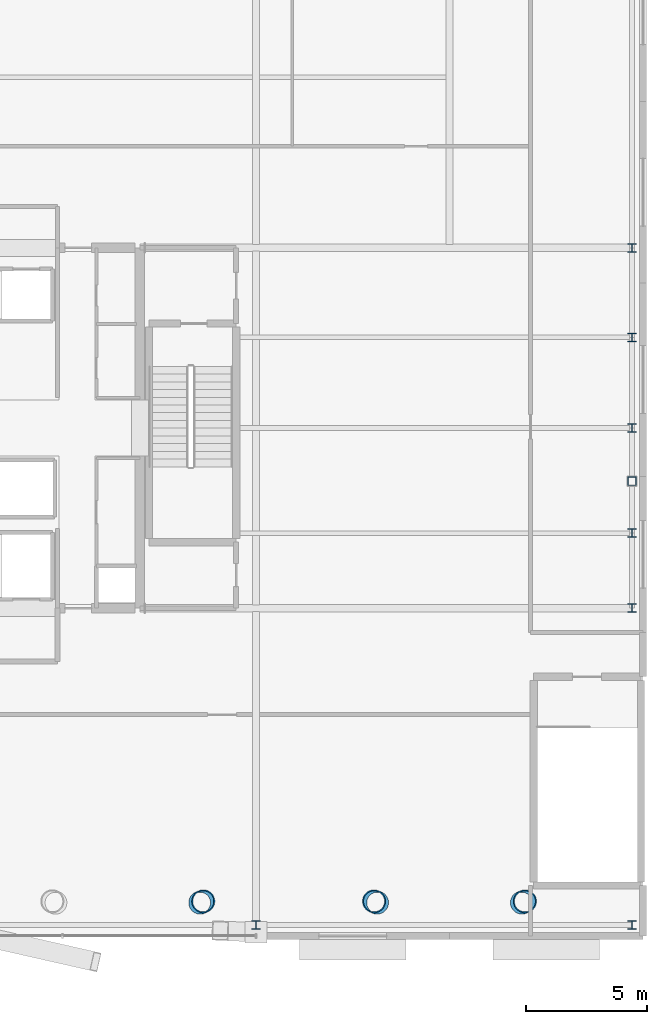
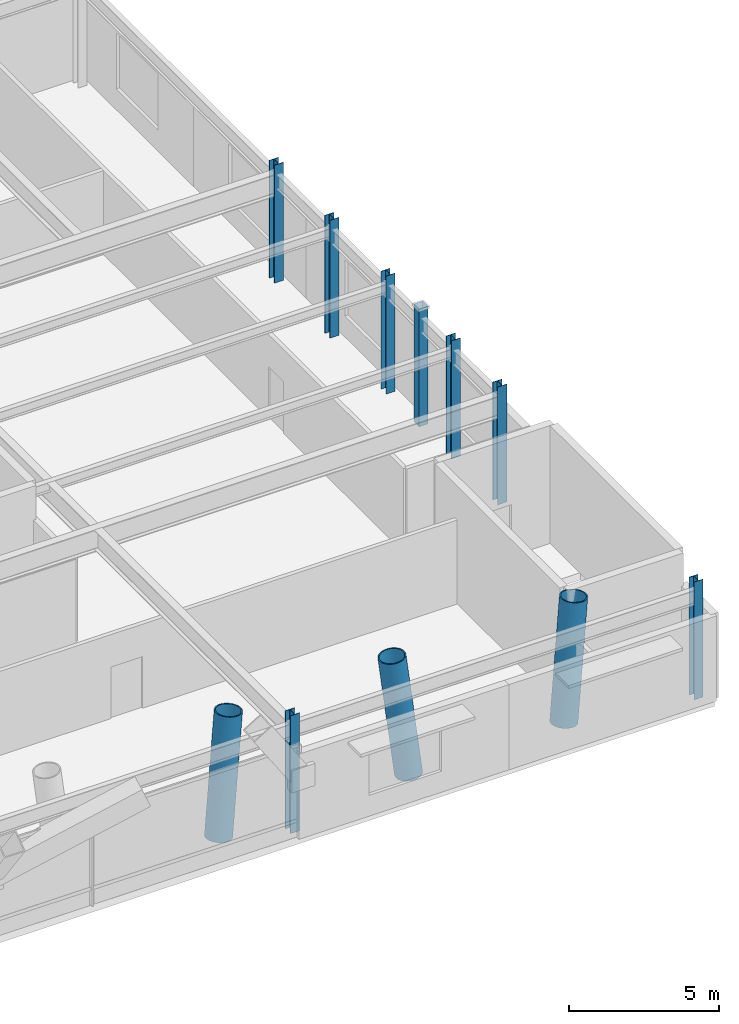
# One storey, part 2 of 21: 11 columns.
"""IFC4 building model written with IfcOpenShell, lengths in metres."""

from ifc_helpers import new_model, si_unit, direction, frame, origin, origin_2d, place, context, subcontext, project, spatial, hollow_rectangle, hollow_circle, i_section, extrude, material, material_profile, profile_set, type_object, element, save


model = new_model("IFC4")

# Units and contexts
model_context = context("Model", 3, precision=1e-05, world=origin(), true_north=direction((0.0, 1.0)))
body_context = subcontext(model_context, "Body", "Model", "MODEL_VIEW")
ifc_project = project(units=[si_unit("LENGTHUNIT", "METRE"), si_unit("AREAUNIT", "SQUARE_METRE"), si_unit("VOLUMEUNIT", "CUBIC_METRE"), si_unit("PLANEANGLEUNIT", "RADIAN"), si_unit("MASSUNIT", "GRAM", prefix="KILO")], contexts=[model_context])

# Site, building, storey
site_placement = place(None, origin())
site = spatial("IfcSite", under=ifc_project, at=site_placement, CompositionType="ELEMENT")
building_placement = place(site_placement, origin())
building = spatial("IfcBuilding", under=site, at=building_placement, Name="Veldorina Hangang Commons", CompositionType="ELEMENT")
storey_placement = place(building_placement, frame((0.0, 0.0, 19.60009765625)))
storey = spatial("IfcBuildingStorey", under=building, at=storey_placement, Name="L04", CompositionType="ELEMENT", Elevation=19.60009765625)

# Columns
ifc_material_1 = material(Name="Steel SM420-TMC", Category="steel")
ifc_material_profile_1 = material_profile(ifc_material_1, i_section(OverallWidth=0.35009765625, OverallDepth=0.35009765625, WebThickness=0.011962890625, FlangeThickness=0.01904296875, FilletRadius=0.01611328125, at=origin_2d()), Name="H-350x350x12x19")
ifc_profile_set_1 = profile_set([ifc_material_profile_1], Name="Steel SM420-TMC")
column_type_1 = type_object("IfcColumnType", Name="COL-H350", PredefinedType="COLUMN", material=ifc_profile_set_1)
for number, where, z_axis, x_axis, name in (
    (1, (44.0, 3.449951171875, 0.0), (0.0, 0.0, 1.0), (1.0, 0.0, 0.0), "L04 structural column S5"),
    (2, (59.550048828125, 3.449951171875, 0.0), (0.0, 0.0, 1.0), (1.0, 0.0, 0.0), "L04 structural column S7"),
    (3, (59.550048828125, 16.550048828125, 0.0), (0.0, 0.0, 1.0), (1.0, 0.0, 0.0), "L04 structural column E1"),
    (4, (59.550048828125, 19.64990234375, 0.0), (0.0, 0.0, 1.0), (1.0, 0.0, 0.0), "L04 structural column E2"),
    (5, (59.550048828125, 24.0, 0.0), (0.0, 0.0, 1.0), (1.0, 0.0, 0.0), "L04 structural column E3"),
    (6, (59.550048828125, 27.75, 0.0), (0.0, 0.0, 1.0), (1.0, 0.0, 0.0), "L04 structural column E4"),
    (7, (59.550048828125, 31.449951171875, 0.0), (0.0, 0.0, 1.0), (1.0, 0.0, 0.0), "L04 structural column E5"),
):
    element("IfcColumn", number, at=place(storey_placement, frame(where, z_axis=z_axis, x_axis=x_axis)), inside=storey, type_object=column_type_1, Name=name, PredefinedType="COLUMN", context=body_context, shape_type="SweptSolid", body=[
        extrude(i_section(OverallWidth=0.35009765625, OverallDepth=0.35009765625, WebThickness=0.011962890625, FlangeThickness=0.01904296875, FilletRadius=0.01611328125, at=origin_2d()), origin(), (0.0, 0.0, 1.0), 4.7998046875),
    ])
ifc_material_2 = material(Name="Steel SM355-TMC", Category="steel")
ifc_material_profile_2 = material_profile(ifc_material_2, hollow_rectangle(XDim=0.35009765625, YDim=0.35009765625, WallThickness=0.01611328125, at=origin_2d()), Name="SHS-350x350x16")
ifc_profile_set_2 = profile_set([ifc_material_profile_2], Name="Steel SM355-TMC")
column_type_2 = type_object("IfcColumnType", Name="COL-PIL-350", PredefinedType="PILASTER", material=ifc_profile_set_2)
column_placement = place(storey_placement, frame((59.550048828125, 21.800048828125, 0.0), z_axis=(0.0, 0.0, 1.0), x_axis=(1.0, 0.0, 0.0)))
element("IfcColumn", 8, at=column_placement, inside=storey, type_object=column_type_2, Name="L04 rationalist colonnade pilaster 4", PredefinedType="PILASTER", context=body_context, shape_type="SweptSolid", body=[
    extrude(hollow_rectangle(XDim=0.35009765625, YDim=0.35009765625, WallThickness=0.01611328125, at=origin_2d()), origin(), (0.0, 0.0, 1.0), 4.7998046875),
])
ifc_material_3 = material(Name="Steel SM490-TMC", Category="steel")
ifc_material_profile_3 = material_profile(ifc_material_3, hollow_circle(Radius=0.47509765625, WallThickness=0.044921875, at=origin_2d()), Name="CHS-950x45")
ifc_profile_set_3 = profile_set([ifc_material_profile_3], Name="Steel SM490-TMC")
column_type_3 = type_object("IfcColumnType", Name="COL-VC950", PredefinedType="COLUMN", material=ifc_profile_set_3)
for number, where, z_axis, x_axis, name in (
    (9, (41.6923828125, 4.373779296875, 0.0), (0.10504594018, 0.046838665968, 0.993363724837), (-0.407238706506, 0.913321759252, 0.0), "L04 sculptural V-column VC-3 leg R"),
    (10, (49.007568359375, 4.373779296875, 0.0), (-0.10504594018, 0.046838665968, 0.993363724837), (-0.407238706506, -0.913321759252, 0.0), "L04 sculptural V-column VC-4 leg L"),
    (11, (54.992431640625, 4.373779296875, 0.0), (0.10504594018, 0.046838665968, 0.993363724837), (-0.407238706506, 0.913321759252, 0.0), "L04 sculptural V-column VC-4 leg R"),
):
    element("IfcColumn", number, at=place(storey_placement, frame(where, z_axis=z_axis, x_axis=x_axis)), inside=storey, type_object=column_type_3, Name=name, PredefinedType="COLUMN", context=body_context, shape_type="SweptSolid", body=[
        extrude(hollow_circle(Radius=0.47509765625, WallThickness=0.044921875, at=origin_2d()), origin(), (0.0, 0.0, 1.0), 4.831787109375),
    ])

save(model, "model.ifc")
